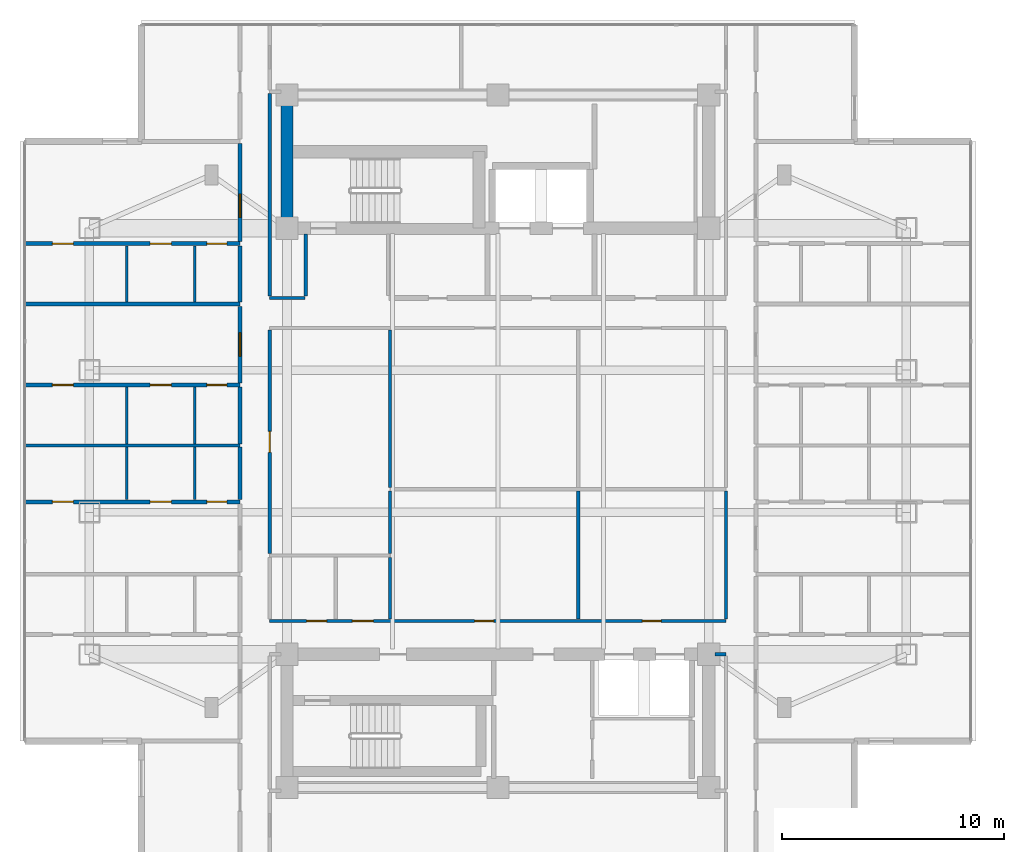
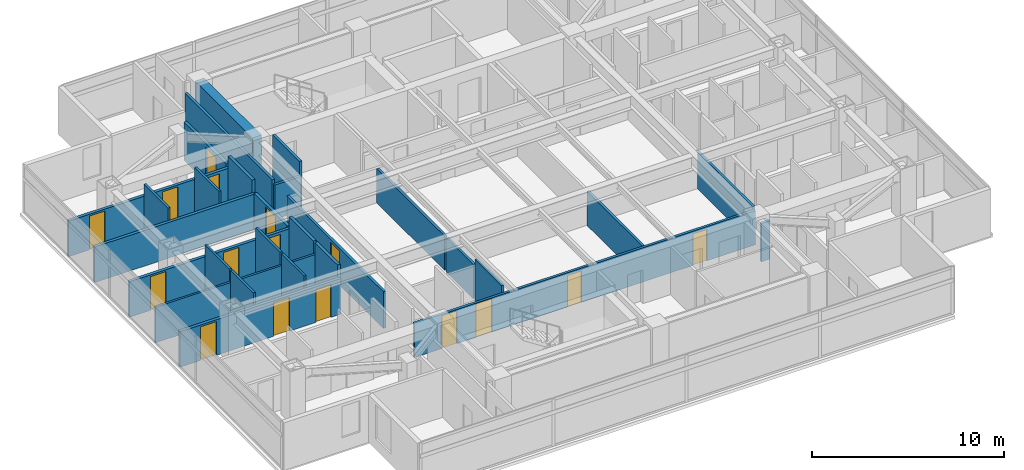
# One storey, part 13 of 25: 28 walls, 16 doors, 16 openings.
"""IFC4 building model written with IfcOpenShell, lengths in metres."""

from ifc_helpers import new_model, si_unit, direction, frame, frame_2d, origin, place, context, subcontext, project, spatial, rectangle, extrude, material, layer, layer_set, type_object, element, fill, save


model = new_model("IFC4")

# Units and contexts
model_context = context("Model", 3, precision=1e-05, world=origin(), true_north=direction((0.0, 1.0)))
body_context = subcontext(model_context, "Body", "Model", "MODEL_VIEW")
ifc_project = project(units=[si_unit("LENGTHUNIT", "METRE"), si_unit("AREAUNIT", "SQUARE_METRE"), si_unit("VOLUMEUNIT", "CUBIC_METRE"), si_unit("PLANEANGLEUNIT", "RADIAN"), si_unit("MASSUNIT", "GRAM", prefix="KILO")], contexts=[model_context])

# Site, building, storey
site_placement = place(None, origin())
site = spatial("IfcSite", under=ifc_project, at=site_placement, CompositionType="ELEMENT")
building_placement = place(site_placement, origin())
building = spatial("IfcBuilding", under=site, at=building_placement, Name="Mirazonda Arch Towers", CompositionType="ELEMENT")
storey_placement = place(building_placement, frame((0.0, 0.0, 173.89990234375)))
storey = spatial("IfcBuildingStorey", under=building, at=storey_placement, Name="L49", CompositionType="ELEMENT", Elevation=173.89990234375)

# Walls
ifc_material_1 = material(Name="Concrete C50/60", Category="concrete")
ifc_layer_1 = layer(ifc_material_1, 0.550048828125, Name="WALL-CORE-550")
ifc_layer_set_1 = layer_set([ifc_layer_1], Name="Concrete C50/60")
wall_type_1 = type_object("IfcWallType", Name="WALL-CORE-550", PredefinedType="SHEAR", material=ifc_layer_set_1)
wall_1_placement = place(storey_placement, frame((11.0, 37.60009765625, 0.0), z_axis=(0.0, 0.0, 1.0), x_axis=(0.0, 1.0, 0.0)))
element("IfcWall", 1, at=wall_1_placement, inside=storey, type_object=wall_type_1, Name="L49 T1N-W Core Shear Wall", PredefinedType="SHEAR", context=body_context, shape_type="SweptSolid", body=[
    extrude(rectangle(XDim=6.0, YDim=0.550048828125, at=frame_2d((3.0, 0.0))), origin(), (0.0, 0.0, 1.0), 3.050048828125),
])
ifc_material_2 = material(Name="Fire-Rated Gypsum Stud Partition")
ifc_layer_2 = layer(ifc_material_2, 0.14990234375, Name="WALL-PART-CORR-150")
ifc_layer_set_2 = layer_set([ifc_layer_2], Name="Fire-Rated Gypsum Stud Partition")
wall_type_2 = type_object("IfcWallType", Name="WALL-PART-CORR-150", PredefinedType="PARTITIONING", material=ifc_layer_set_2)
wall_2_placement = place(storey_placement, frame((30.27001953125, 18.39990234375, 0.0), z_axis=(0.0, 0.0, 1.0), x_axis=(1.0, 0.0, 0.0)))
element("IfcWall", 2, at=wall_2_placement, inside=storey, type_object=wall_type_2, Name="L49 Interior Partition 012", PredefinedType="PARTITIONING", context=body_context, shape_type="SweptSolid", body=[
    extrude(rectangle(XDim=0.510009765625, YDim=0.14990234375, at=frame_2d((0.2548828125, 0.0))), origin(), (0.0, 0.0, 1.0), 2.442138671875),
])

# Wall, openings, doors
wall_3_placement = place(storey_placement, frame((10.219970703125, 19.89990234375, 0.0), z_axis=(0.0, 0.0, 1.0), x_axis=(1.0, 0.0, 0.0)))
wall_3 = element("IfcWall", 3, at=wall_3_placement, inside=storey, type_object=wall_type_2, Name="L49 Interior Partition 016", PredefinedType="PARTITIONING", context=body_context, shape_type="SweptSolid", body=[
    extrude(rectangle(XDim=20.56005859375, YDim=0.14990234375, at=frame_2d((10.280029296875, 0.0))), origin(), (0.0, 0.0, 1.0), 2.18603515625),
])
opening_1_placement = place(wall_3_placement, frame((1.659912109375, 0.0, 0.0)))
opening_1 = element("IfcOpeningElement", 4, at=opening_1_placement, cuts=wall_3, Name="Opening DR-120", PredefinedType="OPENING", context=body_context, shape_type="SweptSolid", body=[
    extrude(rectangle(XDim=0.89990234375, YDim=2.10009765625, at=frame_2d((0.449951171875, 1.050048828125))), frame((0.0, 0.0849609375, 0.0), z_axis=(0.0, -1.0, 0.0), x_axis=(1.0, 0.0, 0.0)), (0.0, 0.0, 1.0), 0.169921875),
])
opening_2_placement = place(wall_3_placement, frame((3.72509765625, 0.0, 0.0)))
opening_2 = element("IfcOpeningElement", 5, at=opening_2_placement, cuts=wall_3, Name="Opening DR-104", PredefinedType="OPENING", context=body_context, shape_type="SweptSolid", body=[
    extrude(rectangle(XDim=0.949951171875, YDim=2.14990234375, at=frame_2d((0.47509765625, 1.074951171875))), frame((0.0, 0.0849609375, 0.0), z_axis=(0.0, -1.0, 0.0), x_axis=(1.0, 0.0, 0.0)), (0.0, 0.0, 1.0), 0.169921875),
])
opening_3_placement = place(wall_3_placement, frame((9.23388671875, 0.0, 0.0)))
opening_3 = element("IfcOpeningElement", 6, at=opening_3_placement, cuts=wall_3, Name="Opening DR-128", PredefinedType="OPENING", context=body_context, shape_type="SweptSolid", body=[
    extrude(rectangle(XDim=0.85009765625, YDim=2.010009765625, at=frame_2d((0.425048828125, 1.0048828125))), frame((0.0, 0.0849609375, 0.0), z_axis=(0.0, -1.0, 0.0), x_axis=(1.0, 0.0, 0.0)), (0.0, 0.0, 1.0), 0.169921875),
])
opening_4_placement = place(wall_3_placement, frame((16.783935546875, 0.0, 0.0)))
opening_4 = element("IfcOpeningElement", 7, at=opening_4_placement, cuts=wall_3, Name="Opening DR-128", PredefinedType="OPENING", context=body_context, shape_type="SweptSolid", body=[
    extrude(rectangle(XDim=0.85009765625, YDim=2.010009765625, at=frame_2d((0.425048828125, 1.0048828125))), frame((0.0, 0.0849609375, 0.0), z_axis=(0.0, -1.0, 0.0), x_axis=(1.0, 0.0, 0.0)), (0.0, 0.0, 1.0), 0.169921875),
])
ifc_material_3 = material(Name="Architectural Brushed Steel S355", Category="steel")
door_type_1 = type_object("IfcDoorType", Name="DOOR-RISER-FD60-850", OperationType="NOTDEFINED", PredefinedType="DOOR", material=ifc_material_3)
door_1_placement = place(opening_3_placement, origin())
door_1 = element("IfcDoor", 8, at=door_1_placement, inside=storey, type_object=door_type_1, Name="L49 Residents Private Library Door", OperationType="SINGLE_SWING_LEFT", OverallHeight=2.010009765625, OverallWidth=0.85009765625, PredefinedType="DOOR", context=body_context, shape_type="SweptSolid", body=[
    extrude(rectangle(XDim=0.85009765625, YDim=2.010009765625, at=frame_2d((0.425048828125, 1.0048828125))), frame((0.0, 0.02490234375, 0.0), z_axis=(0.0, -1.0, 0.0), x_axis=(1.0, 0.0, 0.0)), (0.0, 0.0, 1.0), 0.050048828125),
])
fill(opening_3, door_1)
door_2_placement = place(opening_4_placement, origin())
door_2 = element("IfcDoor", 9, at=door_2_placement, inside=storey, type_object=door_type_1, Name="L49 Chamber Music & Screening Salon Door", OperationType="SINGLE_SWING_RIGHT", OverallHeight=2.010009765625, OverallWidth=0.85009765625, PredefinedType="DOOR", context=body_context, shape_type="SweptSolid", body=[
    extrude(rectangle(XDim=0.85009765625, YDim=2.010009765625, at=frame_2d((0.425048828125, 1.0048828125))), frame((0.0, 0.02490234375, 0.0), z_axis=(0.0, -1.0, 0.0), x_axis=(1.0, 0.0, 0.0)), (0.0, 0.0, 1.0), 0.050048828125),
])
fill(opening_4, door_2)
door_type_2 = type_object("IfcDoorType", Name="DOOR-ROOM-950", OperationType="NOTDEFINED", PredefinedType="DOOR", material=ifc_material_3)
door_3_placement = place(opening_2_placement, origin())
door_3 = element("IfcDoor", 10, at=door_3_placement, inside=storey, type_object=door_type_2, Name="L49 L49 West Courtyard Study Door", OperationType="SINGLE_SWING_LEFT", OverallHeight=2.14990234375, OverallWidth=0.949951171875, PredefinedType="DOOR", context=body_context, shape_type="SweptSolid", body=[
    extrude(rectangle(XDim=0.949951171875, YDim=2.14990234375, at=frame_2d((0.47509765625, 1.074951171875))), frame((0.0, 0.02490234375, 0.0), z_axis=(0.0, -1.0, 0.0), x_axis=(1.0, 0.0, 0.0)), (0.0, 0.0, 1.0), 0.050048828125),
])
fill(opening_2, door_3)
door_type_3 = type_object("IfcDoorType", Name="DOOR-WC-900", OperationType="NOTDEFINED", PredefinedType="DOOR", material=ifc_material_3)
door_4_placement = place(opening_1_placement, origin())
door_4 = element("IfcDoor", 11, at=door_4_placement, inside=storey, type_object=door_type_3, Name="L49 Common Accessible WC Door", OperationType="SINGLE_SWING_RIGHT", OverallHeight=2.10009765625, OverallWidth=0.89990234375, PredefinedType="DOOR", context=body_context, shape_type="SweptSolid", body=[
    extrude(rectangle(XDim=0.89990234375, YDim=2.10009765625, at=frame_2d((0.449951171875, 1.050048828125))), frame((0.0, 0.02490234375, 0.0), z_axis=(0.0, -1.0, 0.0), x_axis=(1.0, 0.0, 0.0)), (0.0, 0.0, 1.0), 0.050048828125),
])
fill(opening_1, door_4)

# Wall
wall_4_placement = place(storey_placement, frame((10.219970703125, 34.449951171875, 0.0), z_axis=(0.0, 0.0, 1.0), x_axis=(1.0, 0.0, 0.0)))
element("IfcWall", 12, at=wall_4_placement, inside=storey, type_object=wall_type_2, Name="L49 Interior Partition 049", PredefinedType="PARTITIONING", context=body_context, shape_type="SweptSolid", body=[
    extrude(rectangle(XDim=1.580078125, YDim=0.14990234375, at=frame_2d((0.7900390625, 0.0))), origin(), (0.0, 0.0, 1.0), 2.18603515625),
])

# Wall, opening, door
wall_5_placement = place(storey_placement, frame((10.219970703125, 22.93505859375, 0.0), z_axis=(0.0, 0.0, 1.0), x_axis=(0.0, 1.0, 0.0)))
wall_5 = element("IfcWall", 13, at=wall_5_placement, inside=storey, type_object=wall_type_2, Name="L49 Interior Partition 085", PredefinedType="PARTITIONING", context=body_context, shape_type="SweptSolid", body=[
    extrude(rectangle(XDim=10.079833984375, YDim=0.14990234375, at=frame_2d((5.0400390625, 0.0))), origin(), (0.0, 0.0, 1.0), 2.34619140625),
])
opening_5_placement = place(wall_5_placement, frame((4.56494140625, 0.0, 0.0)))
opening_5 = element("IfcOpeningElement", 14, at=opening_5_placement, cuts=wall_5, Name="Opening DR-104", PredefinedType="OPENING", context=body_context, shape_type="SweptSolid", body=[
    extrude(rectangle(XDim=0.949951171875, YDim=2.14990234375, at=frame_2d((0.47509765625, 1.074951171875))), frame((0.0, 0.0849609375, 0.0), z_axis=(0.0, -1.0, 0.0), x_axis=(1.0, 0.0, 0.0)), (0.0, 0.0, 1.0), 0.169921875),
])
door_5_placement = place(opening_5_placement, origin())
door_5 = element("IfcDoor", 15, at=door_5_placement, inside=storey, type_object=door_type_2, Name="L49 L49 West Courtyard Salon Door", OperationType="SINGLE_SWING_RIGHT", OverallHeight=2.14990234375, OverallWidth=0.949951171875, PredefinedType="DOOR", context=body_context, shape_type="SweptSolid", body=[
    extrude(rectangle(XDim=0.949951171875, YDim=2.14990234375, at=frame_2d((0.47509765625, 1.074951171875))), frame((0.0, 0.02490234375, 0.0), z_axis=(0.0, -1.0, 0.0), x_axis=(1.0, 0.0, 0.0)), (0.0, 0.0, 1.0), 0.050048828125),
])
fill(opening_5, door_5)

# Walls
wall_6_placement = place(storey_placement, frame((10.219970703125, 34.534912109375, 0.0), z_axis=(0.0, 0.0, 1.0), x_axis=(0.0, 1.0, 0.0)))
element("IfcWall", 16, at=wall_6_placement, inside=storey, type_object=wall_type_2, Name="L49 Interior Partition 086", PredefinedType="PARTITIONING", context=body_context, shape_type="SweptSolid", body=[
    extrude(rectangle(XDim=9.130126953125, YDim=0.14990234375, at=frame_2d((4.56494140625, 0.0))), origin(), (0.0, 0.0, 1.0), 2.442138671875),
])
wall_7_placement = place(storey_placement, frame((11.85009765625, 34.534912109375, 0.0), z_axis=(0.0, 0.0, 1.0), x_axis=(0.0, 1.0, 0.0)))
element("IfcWall", 17, at=wall_7_placement, inside=storey, type_object=wall_type_2, Name="L49 Interior Partition 088", PredefinedType="PARTITIONING", context=body_context, shape_type="SweptSolid", body=[
    extrude(rectangle(XDim=2.795166015625, YDim=0.14990234375, at=frame_2d((1.3974609375, 0.0))), origin(), (0.0, 0.0, 1.0), 3.050048828125),
])
wall_8_placement = place(storey_placement, frame((15.639892578125, 19.985107421875, 0.0), z_axis=(0.0, 0.0, 1.0), x_axis=(0.0, 1.0, 0.0)))
element("IfcWall", 18, at=wall_8_placement, inside=storey, type_object=wall_type_2, Name="L49 Interior Partition 090", PredefinedType="PARTITIONING", context=body_context, shape_type="SweptSolid", body=[
    extrude(rectangle(XDim=2.77978515625, YDim=0.14990234375, at=frame_2d((1.389892578125, 0.0))), origin(), (0.0, 0.0, 1.0), 2.625),
])
wall_9_placement = place(storey_placement, frame((15.639892578125, 22.93505859375, 0.0), z_axis=(0.0, 0.0, 1.0), x_axis=(0.0, 1.0, 0.0)))
element("IfcWall", 19, at=wall_9_placement, inside=storey, type_object=wall_type_2, Name="L49 Interior Partition 091", PredefinedType="PARTITIONING", context=body_context, shape_type="SweptSolid", body=[
    extrude(rectangle(XDim=2.81982421875, YDim=0.14990234375, at=frame_2d((1.409912109375, 0.0))), origin(), (0.0, 0.0, 1.0), 2.18603515625),
])
wall_10_placement = place(storey_placement, frame((15.639892578125, 25.925048828125, 0.0), z_axis=(0.0, 0.0, 1.0), x_axis=(0.0, 1.0, 0.0)))
element("IfcWall", 20, at=wall_10_placement, inside=storey, type_object=wall_type_2, Name="L49 Interior Partition 092", PredefinedType="PARTITIONING", context=body_context, shape_type="SweptSolid", body=[
    extrude(rectangle(XDim=7.08984375, YDim=0.14990234375, at=frame_2d((3.544921875, 0.0))), origin(), (0.0, 0.0, 1.0), 2.18603515625),
])
wall_11_placement = place(storey_placement, frame((24.117919921875, 19.985107421875, 0.0), z_axis=(0.0, 0.0, 1.0), x_axis=(0.0, 1.0, 0.0)))
element("IfcWall", 21, at=wall_11_placement, inside=storey, type_object=wall_type_2, Name="L49 Interior Partition 100", PredefinedType="PARTITIONING", context=body_context, shape_type="SweptSolid", body=[
    extrude(rectangle(XDim=5.769775390625, YDim=0.14990234375, at=frame_2d((2.884765625, 0.0))), origin(), (0.0, 0.0, 1.0), 2.18603515625),
])
wall_12_placement = place(storey_placement, frame((30.780029296875, 19.985107421875, 0.0), z_axis=(0.0, 0.0, 1.0), x_axis=(0.0, 1.0, 0.0)))
element("IfcWall", 22, at=wall_12_placement, inside=storey, type_object=wall_type_2, Name="L49 Interior Partition 113", PredefinedType="PARTITIONING", context=body_context, shape_type="SweptSolid", body=[
    extrude(rectangle(XDim=5.769775390625, YDim=0.14990234375, at=frame_2d((2.884765625, 0.0))), origin(), (0.0, 0.0, 1.0), 2.34619140625),
])

# Wall, openings, doors
ifc_material_4 = material(Name="Fire-Rated Gypsum Twin-Stud Assembly")
ifc_layer_3 = layer(ifc_material_4, 0.179931640625, Name="WALL-PART-DEMISE-180")
ifc_layer_set_3 = layer_set([ifc_layer_3], Name="Fire-Rated Gypsum Twin-Stud Assembly")
wall_type_3 = type_object("IfcWallType", Name="WALL-PART-DEMISE-180", PredefinedType="PARTITIONING", material=ifc_layer_set_3)
wall_13_placement = place(storey_placement, frame((-0.81005859375, 25.27294921875, 0.0), z_axis=(0.0, 0.0, 1.0), x_axis=(1.0, 0.0, 0.0)))
wall_13 = element("IfcWall", 23, at=wall_13_placement, inside=storey, type_object=wall_type_3, Name="L49 Interior Partition 029", PredefinedType="PARTITIONING", context=body_context, shape_type="SweptSolid", body=[
    extrude(rectangle(XDim=9.68994140625, YDim=0.179931640625, at=frame_2d((4.844970703125, 0.0))), origin(), (0.0, 0.0, 1.0), 2.26904296875),
])
opening_6_placement = place(wall_13_placement, frame((1.239990234375, 0.0, 0.0)))
opening_6 = element("IfcOpeningElement", 24, at=opening_6_placement, cuts=wall_13, Name="Opening DR-104", PredefinedType="OPENING", context=body_context, shape_type="SweptSolid", body=[
    extrude(rectangle(XDim=0.949951171875, YDim=2.14990234375, at=frame_2d((0.47509765625, 1.074951171875))), frame((0.0, 0.099853515625, 0.0), z_axis=(0.0, -1.0, 0.0), x_axis=(1.0, 0.0, 0.0)), (0.0, 0.0, 1.0), 0.199951171875),
])
opening_7_placement = place(wall_13_placement, frame((5.64501953125, 0.0, 0.0)))
opening_7 = element("IfcOpeningElement", 25, at=opening_7_placement, cuts=wall_13, Name="Opening DR-104", PredefinedType="OPENING", context=body_context, shape_type="SweptSolid", body=[
    extrude(rectangle(XDim=0.949951171875, YDim=2.14990234375, at=frame_2d((0.47509765625, 1.074951171875))), frame((0.0, 0.099853515625, 0.0), z_axis=(0.0, -1.0, 0.0), x_axis=(1.0, 0.0, 0.0)), (0.0, 0.0, 1.0), 0.199951171875),
])
opening_8_placement = place(wall_13_placement, frame((8.199951171875, 0.0, 0.0)))
opening_8 = element("IfcOpeningElement", 26, at=opening_8_placement, cuts=wall_13, Name="Opening DR-120", PredefinedType="OPENING", context=body_context, shape_type="SweptSolid", body=[
    extrude(rectangle(XDim=0.89990234375, YDim=2.10009765625, at=frame_2d((0.449951171875, 1.050048828125))), frame((0.0, 0.099853515625, 0.0), z_axis=(0.0, -1.0, 0.0), x_axis=(1.0, 0.0, 0.0)), (0.0, 0.0, 1.0), 0.199951171875),
])
door_6_placement = place(opening_6_placement, origin())
door_6 = element("IfcDoor", 27, at=door_6_placement, inside=storey, type_object=door_type_2, Name="L49 Residence 2 Principal Bedroom Door", OperationType="SINGLE_SWING_RIGHT", OverallHeight=2.14990234375, OverallWidth=0.949951171875, PredefinedType="DOOR", context=body_context, shape_type="SweptSolid", body=[
    extrude(rectangle(XDim=0.949951171875, YDim=2.14990234375, at=frame_2d((0.47509765625, 1.074951171875))), frame((0.0, 0.02490234375, 0.0), z_axis=(0.0, -1.0, 0.0), x_axis=(1.0, 0.0, 0.0)), (0.0, 0.0, 1.0), 0.050048828125),
])
fill(opening_6, door_6)
door_7_placement = place(opening_7_placement, origin())
door_7 = element("IfcDoor", 28, at=door_7_placement, inside=storey, type_object=door_type_2, Name="L49 Residence 2 Fitted Kitchen Door", OperationType="SINGLE_SWING_LEFT", OverallHeight=2.14990234375, OverallWidth=0.949951171875, PredefinedType="DOOR", context=body_context, shape_type="SweptSolid", body=[
    extrude(rectangle(XDim=0.949951171875, YDim=2.14990234375, at=frame_2d((0.47509765625, 1.074951171875))), frame((0.0, 0.02490234375, 0.0), z_axis=(0.0, -1.0, 0.0), x_axis=(1.0, 0.0, 0.0)), (0.0, 0.0, 1.0), 0.050048828125),
])
fill(opening_7, door_7)
door_8_placement = place(opening_8_placement, origin())
door_8 = element("IfcDoor", 29, at=door_8_placement, inside=storey, type_object=door_type_3, Name="L49 Residence 2 Bathroom Door", OperationType="SINGLE_SWING_RIGHT", OverallHeight=2.10009765625, OverallWidth=0.89990234375, PredefinedType="DOOR", context=body_context, shape_type="SweptSolid", body=[
    extrude(rectangle(XDim=0.89990234375, YDim=2.10009765625, at=frame_2d((0.449951171875, 1.050048828125))), frame((0.0, 0.02490234375, 0.0), z_axis=(0.0, -1.0, 0.0), x_axis=(1.0, 0.0, 0.0)), (0.0, 0.0, 1.0), 0.050048828125),
])
fill(opening_8, door_8)

wall_14_placement = place(storey_placement, frame((-0.81005859375, 30.532958984375, 0.0), z_axis=(0.0, 0.0, 1.0), x_axis=(1.0, 0.0, 0.0)))
wall_14 = element("IfcWall", 30, at=wall_14_placement, inside=storey, type_object=wall_type_3, Name="L49 Interior Partition 040", PredefinedType="PARTITIONING", context=body_context, shape_type="SweptSolid", body=[
    extrude(rectangle(XDim=9.68994140625, YDim=0.179931640625, at=frame_2d((4.844970703125, 0.0))), origin(), (0.0, 0.0, 1.0), 2.26904296875),
])
opening_9_placement = place(wall_14_placement, frame((1.239990234375, 0.0, 0.0)))
opening_9 = element("IfcOpeningElement", 31, at=opening_9_placement, cuts=wall_14, Name="Opening DR-104", PredefinedType="OPENING", context=body_context, shape_type="SweptSolid", body=[
    extrude(rectangle(XDim=0.949951171875, YDim=2.14990234375, at=frame_2d((0.47509765625, 1.074951171875))), frame((0.0, 0.099853515625, 0.0), z_axis=(0.0, -1.0, 0.0), x_axis=(1.0, 0.0, 0.0)), (0.0, 0.0, 1.0), 0.199951171875),
])
opening_10_placement = place(wall_14_placement, frame((5.64501953125, 0.0, 0.0)))
opening_10 = element("IfcOpeningElement", 32, at=opening_10_placement, cuts=wall_14, Name="Opening DR-104", PredefinedType="OPENING", context=body_context, shape_type="SweptSolid", body=[
    extrude(rectangle(XDim=0.949951171875, YDim=2.14990234375, at=frame_2d((0.47509765625, 1.074951171875))), frame((0.0, 0.099853515625, 0.0), z_axis=(0.0, -1.0, 0.0), x_axis=(1.0, 0.0, 0.0)), (0.0, 0.0, 1.0), 0.199951171875),
])
opening_11_placement = place(wall_14_placement, frame((8.199951171875, 0.0, 0.0)))
opening_11 = element("IfcOpeningElement", 33, at=opening_11_placement, cuts=wall_14, Name="Opening DR-120", PredefinedType="OPENING", context=body_context, shape_type="SweptSolid", body=[
    extrude(rectangle(XDim=0.89990234375, YDim=2.10009765625, at=frame_2d((0.449951171875, 1.050048828125))), frame((0.0, 0.099853515625, 0.0), z_axis=(0.0, -1.0, 0.0), x_axis=(1.0, 0.0, 0.0)), (0.0, 0.0, 1.0), 0.199951171875),
])
door_9_placement = place(opening_9_placement, origin())
door_9 = element("IfcDoor", 34, at=door_9_placement, inside=storey, type_object=door_type_2, Name="L49 Residence 3 Principal Bedroom Door", OperationType="SINGLE_SWING_RIGHT", OverallHeight=2.14990234375, OverallWidth=0.949951171875, PredefinedType="DOOR", context=body_context, shape_type="SweptSolid", body=[
    extrude(rectangle(XDim=0.949951171875, YDim=2.14990234375, at=frame_2d((0.47509765625, 1.074951171875))), frame((0.0, 0.02490234375, 0.0), z_axis=(0.0, -1.0, 0.0), x_axis=(1.0, 0.0, 0.0)), (0.0, 0.0, 1.0), 0.050048828125),
])
fill(opening_9, door_9)
door_10_placement = place(opening_10_placement, origin())
door_10 = element("IfcDoor", 35, at=door_10_placement, inside=storey, type_object=door_type_2, Name="L49 Residence 3 Fitted Kitchen Door", OperationType="SINGLE_SWING_LEFT", OverallHeight=2.14990234375, OverallWidth=0.949951171875, PredefinedType="DOOR", context=body_context, shape_type="SweptSolid", body=[
    extrude(rectangle(XDim=0.949951171875, YDim=2.14990234375, at=frame_2d((0.47509765625, 1.074951171875))), frame((0.0, 0.02490234375, 0.0), z_axis=(0.0, -1.0, 0.0), x_axis=(1.0, 0.0, 0.0)), (0.0, 0.0, 1.0), 0.050048828125),
])
fill(opening_10, door_10)
door_11_placement = place(opening_11_placement, origin())
door_11 = element("IfcDoor", 36, at=door_11_placement, inside=storey, type_object=door_type_3, Name="L49 Residence 3 Bathroom Door", OperationType="SINGLE_SWING_RIGHT", OverallHeight=2.10009765625, OverallWidth=0.89990234375, PredefinedType="DOOR", context=body_context, shape_type="SweptSolid", body=[
    extrude(rectangle(XDim=0.89990234375, YDim=2.10009765625, at=frame_2d((0.449951171875, 1.050048828125))), frame((0.0, 0.02490234375, 0.0), z_axis=(0.0, -1.0, 0.0), x_axis=(1.0, 0.0, 0.0)), (0.0, 0.0, 1.0), 0.050048828125),
])
fill(opening_11, door_11)

# Wall
wall_15_placement = place(storey_placement, frame((-0.81005859375, 34.179931640625, 0.0), z_axis=(0.0, 0.0, 1.0), x_axis=(1.0, 0.0, 0.0)))
element("IfcWall", 37, at=wall_15_placement, inside=storey, type_object=wall_type_3, Name="L49 Interior Partition 047", PredefinedType="PARTITIONING", context=body_context, shape_type="SweptSolid", body=[
    extrude(rectangle(XDim=9.68994140625, YDim=0.179931640625, at=frame_2d((4.844970703125, 0.0))), origin(), (0.0, 0.0, 1.0), 2.26904296875),
])

# Wall, openings, doors
wall_16_placement = place(storey_placement, frame((-0.81005859375, 36.89990234375, 0.0), z_axis=(0.0, 0.0, 1.0), x_axis=(1.0, 0.0, 0.0)))
wall_16 = element("IfcWall", 38, at=wall_16_placement, inside=storey, type_object=wall_type_3, Name="L49 Interior Partition 053", PredefinedType="PARTITIONING", context=body_context, shape_type="SweptSolid", body=[
    extrude(rectangle(XDim=9.68994140625, YDim=0.179931640625, at=frame_2d((4.844970703125, 0.0))), origin(), (0.0, 0.0, 1.0), 2.26904296875),
])
opening_12_placement = place(wall_16_placement, frame((1.239990234375, 0.0, 0.0)))
opening_12 = element("IfcOpeningElement", 39, at=opening_12_placement, cuts=wall_16, Name="Opening DR-104", PredefinedType="OPENING", context=body_context, shape_type="SweptSolid", body=[
    extrude(rectangle(XDim=0.949951171875, YDim=2.14990234375, at=frame_2d((0.47509765625, 1.074951171875))), frame((0.0, 0.099853515625, 0.0), z_axis=(0.0, -1.0, 0.0), x_axis=(1.0, 0.0, 0.0)), (0.0, 0.0, 1.0), 0.199951171875),
])
opening_13_placement = place(wall_16_placement, frame((5.64501953125, 0.0, 0.0)))
opening_13 = element("IfcOpeningElement", 40, at=opening_13_placement, cuts=wall_16, Name="Opening DR-104", PredefinedType="OPENING", context=body_context, shape_type="SweptSolid", body=[
    extrude(rectangle(XDim=0.949951171875, YDim=2.14990234375, at=frame_2d((0.47509765625, 1.074951171875))), frame((0.0, 0.099853515625, 0.0), z_axis=(0.0, -1.0, 0.0), x_axis=(1.0, 0.0, 0.0)), (0.0, 0.0, 1.0), 0.199951171875),
])
opening_14_placement = place(wall_16_placement, frame((8.199951171875, 0.0, 0.0)))
opening_14 = element("IfcOpeningElement", 41, at=opening_14_placement, cuts=wall_16, Name="Opening DR-120", PredefinedType="OPENING", context=body_context, shape_type="SweptSolid", body=[
    extrude(rectangle(XDim=0.89990234375, YDim=2.10009765625, at=frame_2d((0.449951171875, 1.050048828125))), frame((0.0, 0.099853515625, 0.0), z_axis=(0.0, -1.0, 0.0), x_axis=(1.0, 0.0, 0.0)), (0.0, 0.0, 1.0), 0.199951171875),
])
door_12_placement = place(opening_12_placement, origin())
door_12 = element("IfcDoor", 42, at=door_12_placement, inside=storey, type_object=door_type_2, Name="L49 Residence 4 Principal Bedroom Door", OperationType="SINGLE_SWING_RIGHT", OverallHeight=2.14990234375, OverallWidth=0.949951171875, PredefinedType="DOOR", context=body_context, shape_type="SweptSolid", body=[
    extrude(rectangle(XDim=0.949951171875, YDim=2.14990234375, at=frame_2d((0.47509765625, 1.074951171875))), frame((0.0, 0.02490234375, 0.0), z_axis=(0.0, -1.0, 0.0), x_axis=(1.0, 0.0, 0.0)), (0.0, 0.0, 1.0), 0.050048828125),
])
fill(opening_12, door_12)
door_13_placement = place(opening_13_placement, origin())
door_13 = element("IfcDoor", 43, at=door_13_placement, inside=storey, type_object=door_type_2, Name="L49 Residence 4 Fitted Kitchen Door", OperationType="SINGLE_SWING_LEFT", OverallHeight=2.14990234375, OverallWidth=0.949951171875, PredefinedType="DOOR", context=body_context, shape_type="SweptSolid", body=[
    extrude(rectangle(XDim=0.949951171875, YDim=2.14990234375, at=frame_2d((0.47509765625, 1.074951171875))), frame((0.0, 0.02490234375, 0.0), z_axis=(0.0, -1.0, 0.0), x_axis=(1.0, 0.0, 0.0)), (0.0, 0.0, 1.0), 0.050048828125),
])
fill(opening_13, door_13)
door_14_placement = place(opening_14_placement, origin())
door_14 = element("IfcDoor", 44, at=door_14_placement, inside=storey, type_object=door_type_3, Name="L49 Residence 4 Bathroom Door", OperationType="SINGLE_SWING_RIGHT", OverallHeight=2.10009765625, OverallWidth=0.89990234375, PredefinedType="DOOR", context=body_context, shape_type="SweptSolid", body=[
    extrude(rectangle(XDim=0.89990234375, YDim=2.10009765625, at=frame_2d((0.449951171875, 1.050048828125))), frame((0.0, 0.02490234375, 0.0), z_axis=(0.0, -1.0, 0.0), x_axis=(1.0, 0.0, 0.0)), (0.0, 0.0, 1.0), 0.050048828125),
])
fill(opening_14, door_14)

# Walls
wall_17_placement = place(storey_placement, frame((8.8798828125, 25.373046875, 0.0), z_axis=(0.0, 0.0, 1.0), x_axis=(0.0, 1.0, 0.0)))
element("IfcWall", 45, at=wall_17_placement, inside=storey, type_object=wall_type_3, Name="L49 Interior Partition 076", PredefinedType="PARTITIONING", context=body_context, shape_type="SweptSolid", body=[
    extrude(rectangle(XDim=2.367431640625, YDim=0.179931640625, at=frame_2d((1.18359375, 0.0))), origin(), (0.0, 0.0, 1.0), 3.050048828125),
])
wall_18_placement = place(storey_placement, frame((8.8798828125, 27.885498046875, 0.0), z_axis=(0.0, 0.0, 1.0), x_axis=(0.0, 1.0, 0.0)))
element("IfcWall", 46, at=wall_18_placement, inside=storey, type_object=wall_type_3, Name="L49 Interior Partition 077", PredefinedType="PARTITIONING", context=body_context, shape_type="SweptSolid", body=[
    extrude(rectangle(XDim=2.547607421875, YDim=0.179931640625, at=frame_2d((1.27392578125, 0.0))), origin(), (0.0, 0.0, 1.0), 3.050048828125),
])

# Wall, opening, door
wall_19_placement = place(storey_placement, frame((8.8798828125, 30.633056640625, 0.0), z_axis=(0.0, 0.0, 1.0), x_axis=(0.0, 1.0, 0.0)))
wall_19 = element("IfcWall", 47, at=wall_19_placement, inside=storey, type_object=wall_type_3, Name="L49 Interior Partition 078", PredefinedType="PARTITIONING", context=body_context, shape_type="SweptSolid", body=[
    extrude(rectangle(XDim=3.447021484375, YDim=0.179931640625, at=frame_2d((1.7236328125, 0.0))), origin(), (0.0, 0.0, 1.0), 2.34619140625),
])
opening_15_placement = place(wall_19_placement, frame((1.198486328125, 0.0, 0.0)))
opening_15 = element("IfcOpeningElement", 48, at=opening_15_placement, cuts=wall_19, Name="Opening DR-121", PredefinedType="OPENING", context=body_context, shape_type="SweptSolid", body=[
    extrude(rectangle(XDim=1.050048828125, YDim=2.199951171875, at=frame_2d((0.52490234375, 1.10009765625))), frame((0.0, 0.099853515625, 0.0), z_axis=(0.0, -1.0, 0.0), x_axis=(1.0, 0.0, 0.0)), (0.0, 0.0, 1.0), 0.199951171875),
])
door_type_4 = type_object("IfcDoorType", Name="DOOR-SUITE-FD60-1050", OperationType="NOTDEFINED", PredefinedType="DOOR", material=ifc_material_3)
door_15_placement = place(opening_15_placement, origin())
door_15 = element("IfcDoor", 49, at=door_15_placement, inside=storey, type_object=door_type_4, Name="L49 Residence 3 Living & Dining Salon Door", OperationType="SINGLE_SWING_LEFT", OverallHeight=2.199951171875, OverallWidth=1.050048828125, PredefinedType="DOOR", context=body_context, shape_type="SweptSolid", body=[
    extrude(rectangle(XDim=1.050048828125, YDim=2.199951171875, at=frame_2d((0.52490234375, 1.10009765625))), frame((0.0, 0.02490234375, 0.0), z_axis=(0.0, -1.0, 0.0), x_axis=(1.0, 0.0, 0.0)), (0.0, 0.0, 1.0), 0.050048828125),
])
fill(opening_15, door_15)

# Wall
wall_20_placement = place(storey_placement, frame((8.8798828125, 34.280029296875, 0.0), z_axis=(0.0, 0.0, 1.0), x_axis=(0.0, 1.0, 0.0)))
element("IfcWall", 50, at=wall_20_placement, inside=storey, type_object=wall_type_3, Name="L49 Interior Partition 079", PredefinedType="PARTITIONING", context=body_context, shape_type="SweptSolid", body=[
    extrude(rectangle(XDim=2.52001953125, YDim=0.179931640625, at=frame_2d((1.260009765625, 0.0))), origin(), (0.0, 0.0, 1.0), 3.050048828125),
])

# Wall, opening, door
wall_21_placement = place(storey_placement, frame((8.8798828125, 37.0, 0.0), z_axis=(0.0, 0.0, 1.0), x_axis=(0.0, 1.0, 0.0)))
wall_21 = element("IfcWall", 51, at=wall_21_placement, inside=storey, type_object=wall_type_3, Name="L49 Interior Partition 080", PredefinedType="PARTITIONING", context=body_context, shape_type="SweptSolid", body=[
    extrude(rectangle(XDim=4.4130859375, YDim=0.179931640625, at=frame_2d((2.20654296875, 0.0))), origin(), (0.0, 0.0, 1.0), 2.442138671875),
])
opening_16_placement = place(wall_21_placement, frame((1.08154296875, 0.0, 0.0)))
opening_16 = element("IfcOpeningElement", 52, at=opening_16_placement, cuts=wall_21, Name="Opening DR-121", PredefinedType="OPENING", context=body_context, shape_type="SweptSolid", body=[
    extrude(rectangle(XDim=1.050048828125, YDim=2.199951171875, at=frame_2d((0.52490234375, 1.10009765625))), frame((0.0, 0.099853515625, 0.0), z_axis=(0.0, -1.0, 0.0), x_axis=(1.0, 0.0, 0.0)), (0.0, 0.0, 1.0), 0.199951171875),
])
door_16_placement = place(opening_16_placement, origin())
door_16 = element("IfcDoor", 53, at=door_16_placement, inside=storey, type_object=door_type_4, Name="L49 Residence 4 Living & Dining Salon Door", OperationType="SINGLE_SWING_LEFT", OverallHeight=2.199951171875, OverallWidth=1.050048828125, PredefinedType="DOOR", context=body_context, shape_type="SweptSolid", body=[
    extrude(rectangle(XDim=1.050048828125, YDim=2.199951171875, at=frame_2d((0.52490234375, 1.10009765625))), frame((0.0, 0.02490234375, 0.0), z_axis=(0.0, -1.0, 0.0), x_axis=(1.0, 0.0, 0.0)), (0.0, 0.0, 1.0), 0.050048828125),
])
fill(opening_16, door_16)

# Walls
ifc_material_5 = material(Name="Acoustic Fire-Rated Gypsum Partition")
ifc_layer_4 = layer(ifc_material_5, 0.125, Name="WALL-PART-UNIT-125")
ifc_layer_set_4 = layer_set([ifc_layer_4], Name="Acoustic Fire-Rated Gypsum Partition")
wall_type_4 = type_object("IfcWallType", Name="WALL-PART-UNIT-125", PredefinedType="PARTITIONING", material=ifc_layer_set_4)
wall_22_placement = place(storey_placement, frame((-0.81005859375, 27.81298828125, 0.0), z_axis=(0.0, 0.0, 1.0), x_axis=(1.0, 0.0, 0.0)))
element("IfcWall", 54, at=wall_22_placement, inside=storey, type_object=wall_type_4, Name="L49 Interior Partition 036", PredefinedType="PARTITIONING", context=body_context, shape_type="SweptSolid", body=[
    extrude(rectangle(XDim=9.68994140625, YDim=0.125, at=frame_2d((4.844970703125, 0.0))), origin(), (0.0, 0.0, 1.0), 2.26904296875),
])
wall_23_placement = place(storey_placement, frame((3.780029296875, 25.373046875, 0.0), z_axis=(0.0, 0.0, 1.0), x_axis=(0.0, 1.0, 0.0)))
element("IfcWall", 55, at=wall_23_placement, inside=storey, type_object=wall_type_4, Name="L49 Interior Partition 065", PredefinedType="PARTITIONING", context=body_context, shape_type="SweptSolid", body=[
    extrude(rectangle(XDim=2.367431640625, YDim=0.125, at=frame_2d((1.18359375, 0.0))), origin(), (0.0, 0.0, 1.0), 3.050048828125),
])
wall_24_placement = place(storey_placement, frame((3.780029296875, 27.885498046875, 0.0), z_axis=(0.0, 0.0, 1.0), x_axis=(0.0, 1.0, 0.0)))
element("IfcWall", 56, at=wall_24_placement, inside=storey, type_object=wall_type_4, Name="L49 Interior Partition 066", PredefinedType="PARTITIONING", context=body_context, shape_type="SweptSolid", body=[
    extrude(rectangle(XDim=2.547607421875, YDim=0.125, at=frame_2d((1.27392578125, 0.0))), origin(), (0.0, 0.0, 1.0), 3.050048828125),
])
wall_25_placement = place(storey_placement, frame((3.780029296875, 34.280029296875, 0.0), z_axis=(0.0, 0.0, 1.0), x_axis=(0.0, 1.0, 0.0)))
element("IfcWall", 57, at=wall_25_placement, inside=storey, type_object=wall_type_4, Name="L49 Interior Partition 067", PredefinedType="PARTITIONING", context=body_context, shape_type="SweptSolid", body=[
    extrude(rectangle(XDim=2.52001953125, YDim=0.125, at=frame_2d((1.260009765625, 0.0))), origin(), (0.0, 0.0, 1.0), 3.050048828125),
])
wall_26_placement = place(storey_placement, frame((6.840087890625, 25.373046875, 0.0), z_axis=(0.0, 0.0, 1.0), x_axis=(0.0, 1.0, 0.0)))
element("IfcWall", 58, at=wall_26_placement, inside=storey, type_object=wall_type_4, Name="L49 Interior Partition 069", PredefinedType="PARTITIONING", context=body_context, shape_type="SweptSolid", body=[
    extrude(rectangle(XDim=2.367431640625, YDim=0.125, at=frame_2d((1.18359375, 0.0))), origin(), (0.0, 0.0, 1.0), 3.050048828125),
])
wall_27_placement = place(storey_placement, frame((6.840087890625, 27.885498046875, 0.0), z_axis=(0.0, 0.0, 1.0), x_axis=(0.0, 1.0, 0.0)))
element("IfcWall", 59, at=wall_27_placement, inside=storey, type_object=wall_type_4, Name="L49 Interior Partition 070", PredefinedType="PARTITIONING", context=body_context, shape_type="SweptSolid", body=[
    extrude(rectangle(XDim=2.547607421875, YDim=0.125, at=frame_2d((1.27392578125, 0.0))), origin(), (0.0, 0.0, 1.0), 3.050048828125),
])
wall_28_placement = place(storey_placement, frame((6.840087890625, 34.280029296875, 0.0), z_axis=(0.0, 0.0, 1.0), x_axis=(0.0, 1.0, 0.0)))
element("IfcWall", 60, at=wall_28_placement, inside=storey, type_object=wall_type_4, Name="L49 Interior Partition 071", PredefinedType="PARTITIONING", context=body_context, shape_type="SweptSolid", body=[
    extrude(rectangle(XDim=2.52001953125, YDim=0.125, at=frame_2d((1.260009765625, 0.0))), origin(), (0.0, 0.0, 1.0), 3.050048828125),
])

save(model, "model.ifc")
